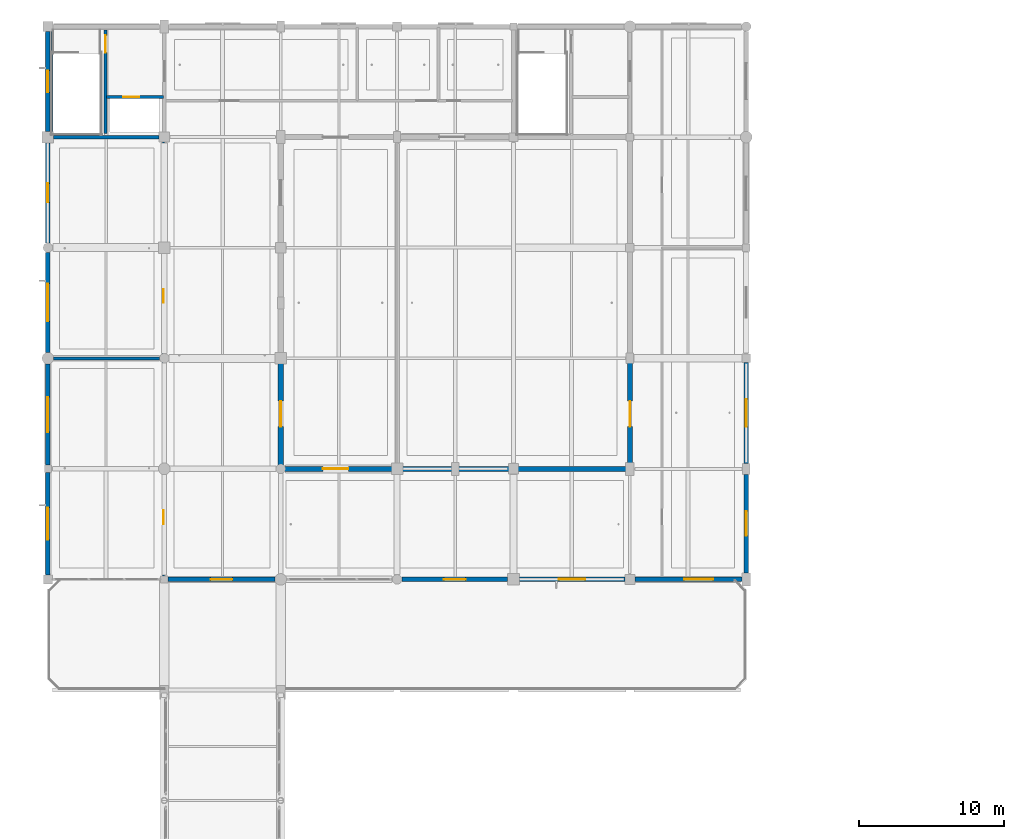
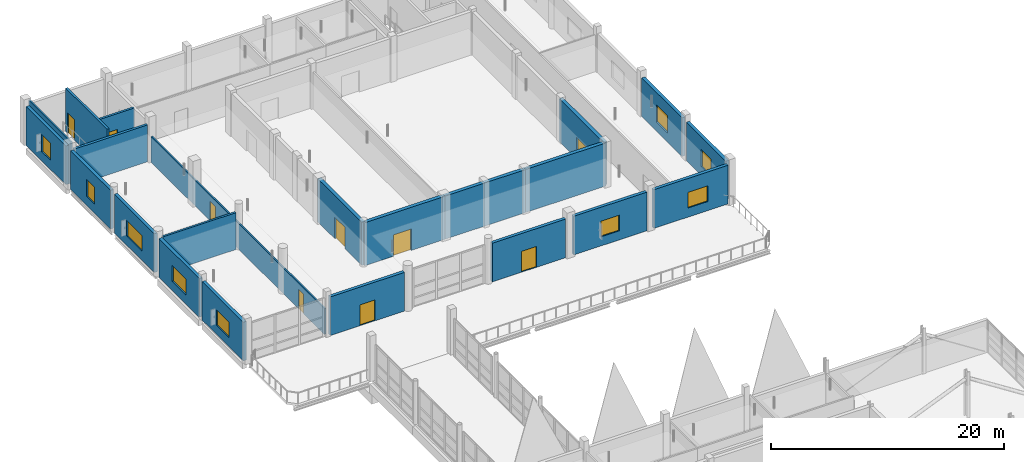
# One storey, part 92 of 141: 22 walls, 9 doors, 9 windows, 18 openings.
"""IFC4 building model written with IfcOpenShell, lengths in metres."""

import ifcopenshell
import ifcopenshell.guid

model = None  # the IFC model being written
_history = None  # IfcOwnerHistory: only IFC2X3 demands one
_inside = {}  # id of a spatial element -> (the spatial element, [elements in it])
_under = {}  # id of a project, library or spatial element -> (it, [spatial elements below it])
_declared = {}  # id of a project -> (the project, [libraries it declares])
_typed = {}  # id of a type object -> (the type object, [elements of that type])
_made_of = {}  # id of a material, layer set ... -> (it, [elements and type objects made of it])


def new_model(schema):
    """Start an empty IFC model of exactly this schema.

    Asked for "IFC4X3", IfcOpenShell would pick the latest addendum, in which some entities
    have other attributes; the version numbers below select the first issue.
    IFC2X3 requires an IfcOwnerHistory on every rooted entity: one is made here for all.
    """
    global model, _history
    if schema == "IFC4X3":
        model = ifcopenshell.file(schema_version=(4, 3, 0, 0))
    else:
        model = ifcopenshell.file(schema=schema)
    _inside.clear()
    _under.clear()
    _declared.clear()
    _typed.clear()
    _made_of.clear()
    _history = None
    if model.schema == "IFC2X3":
        org = make("IfcOrganization", Name="unknown")
        user = make(
            "IfcPersonAndOrganization",
            ThePerson=make("IfcPerson", FamilyName="unknown"),
            TheOrganization=org,
        )
        app = make(
            "IfcApplication",
            ApplicationDeveloper=org,
            Version="unknown",
            ApplicationFullName="unknown",
            ApplicationIdentifier="unknown",
        )
        _history = make(
            "IfcOwnerHistory",
            OwningUser=user,
            OwningApplication=app,
            ChangeAction="ADDED",
            CreationDate=0,
        )
    return model


def make(cls, **values):
    """One entity of the class cls with the attributes given. An attribute that is None is left unset."""
    return model.create_entity(
        cls, **{name: value for name, value in values.items() if value is not None}
    )


def rooted(cls, **values):
    """An entity with a GlobalId (a new one), such as an element, a storey or a relation."""
    return make(cls, GlobalId=ifcopenshell.guid.new(), OwnerHistory=_history, **values)


def si_unit(unit_type, name, prefix=None):
    """IfcSIUnit, for example si_unit("LENGTHUNIT", "METRE", prefix="MILLI")."""
    return make("IfcSIUnit", UnitType=unit_type, Prefix=prefix, Name=name)


def assignment(units):
    """IfcUnitAssignment: the units of a project."""
    return None if units is None else make("IfcUnitAssignment", Units=units)


def point(xyz):
    """IfcCartesianPoint."""
    return None if xyz is None else make("IfcCartesianPoint", Coordinates=xyz)


def direction(xyz):
    """IfcDirection."""
    return None if xyz is None else make("IfcDirection", DirectionRatios=xyz)


def frame(location, z_axis=None, x_axis=None):
    """IfcAxis2Placement3D, a coordinate frame: its origin and axes. An axis left out is left unset."""
    return make(
        "IfcAxis2Placement3D",
        Location=point(location),
        Axis=direction(z_axis),
        RefDirection=direction(x_axis),
    )


def frame_2d(location, x_axis=None):
    """IfcAxis2Placement2D, a coordinate frame in the plane: its origin and x axis."""
    return make(
        "IfcAxis2Placement2D", Location=point(location), RefDirection=direction(x_axis)
    )


def origin():
    """The frame at (0, 0, 0) with its axes left unset."""
    return frame((0.0, 0.0, 0.0))


def place(relative_to, where):
    """IfcLocalPlacement: puts the frame where relative to a parent placement (None: the world)."""
    return make(
        "IfcLocalPlacement", PlacementRelTo=relative_to, RelativePlacement=where
    )


def context(
    kind, dimensions, precision=None, world=None, true_north=None, identifier=None
):
    """IfcGeometricRepresentationContext, for example the 3D "Model" context."""
    return make(
        "IfcGeometricRepresentationContext",
        ContextIdentifier=identifier,
        ContextType=kind,
        CoordinateSpaceDimension=dimensions,
        Precision=precision,
        WorldCoordinateSystem=world,
        TrueNorth=true_north,
    )


def subcontext(parent, identifier, kind, view, scale=None):
    """IfcGeometricRepresentationSubContext, for example "Body" below "Model"."""
    return make(
        "IfcGeometricRepresentationSubContext",
        ContextIdentifier=identifier,
        ContextType=kind,
        ParentContext=parent,
        TargetScale=scale,
        TargetView=view,
    )


def project(units=None, contexts=None):
    """IfcProject with its units and contexts."""
    return rooted(
        "IfcProject",
        Name="project",
        RepresentationContexts=contexts,
        UnitsInContext=assignment(units),
    )


def spatial(cls, under=None, at=None, **own):
    """A site, building, storey or space (cls), placed at a placement, below another one or the project."""
    s = rooted(cls, ObjectPlacement=at, **own)
    if under is not None:
        _under.setdefault(under.id(), (under, []))[1].append(s)
    return s


def profile(cls, at=None, kind="AREA", **sizes):
    """A parametric profile (cls). Its sizes go by their IFC names, for example OverallWidth=200.0."""
    return make(cls, ProfileType=kind, Position=at, **sizes)


def rectangle(**sizes):
    """IfcRectangleProfileDef."""
    return profile("IfcRectangleProfileDef", **sizes)


def extrude(swept, where, along, depth):
    """IfcExtrudedAreaSolid: the profile swept, set in the frame where, extruded along a direction by depth."""
    return make(
        "IfcExtrudedAreaSolid",
        SweptArea=swept,
        Position=where,
        ExtrudedDirection=direction(along),
        Depth=depth,
    )


def shape(context_of_items, identifier, shape_type, items):
    """IfcShapeRepresentation: the items that make up one representation, for example the "Body"."""
    return make(
        "IfcShapeRepresentation",
        ContextOfItems=context_of_items,
        RepresentationIdentifier=identifier,
        RepresentationType=shape_type,
        Items=items,
    )


def material(Name=None, Category=None):
    """IfcMaterial."""
    return make("IfcMaterial", Name=Name, Category=Category)


def layer(
    of_material, thickness, ventilated=None, Name=None, Category=None, Priority=None
):
    """IfcMaterialLayer: one layer of a wall or slab, of a material (None: an air gap)."""
    return make(
        "IfcMaterialLayer",
        Material=of_material,
        LayerThickness=thickness,
        IsVentilated=ventilated,
        Name=Name,
        Category=Category,
        Priority=Priority,
    )


def layer_set(layers, Name=None):
    """IfcMaterialLayerSet."""
    return make("IfcMaterialLayerSet", MaterialLayers=layers, LayerSetName=Name)


def made_of(thing, what):
    """Note that an element or type object is made of a material, layer set ...; save() writes the relation."""
    if what is not None:
        _made_of.setdefault(what.id(), (what, []))[1].append(thing)
    return thing


def type_object(cls, material=None, **own):
    """A type object (cls), such as IfcWallType, which elements share."""
    return made_of(rooted(cls, **own), material)


def element(
    cls,
    number,
    at=None,
    inside=None,
    cuts=None,
    type_object=None,
    material=None,
    context=None,
    identifier="Body",
    shape_type=None,
    held_by="IfcProductDefinitionShape",
    body=None,
    shapes=None,
    **own,
):
    """One element of the class cls, such as IfcWall. Its Tag is "e" and its number.

    at: its placement. inside: the storey or other place that contains it. cuts: it is an
    opening in that element (IfcRelVoidsElement). A single representation is given by context,
    identifier, shape_type and body (its items); several are given by shapes. held_by: the class
    of the entity that holds the representations. save() writes the other relations.
    """
    e = rooted(cls, Tag="e%d" % number, ObjectPlacement=at, **own)
    if body is not None:
        shapes = [shape(context, identifier, shape_type, body)]
    if shapes is not None:
        e.Representation = make(held_by, Representations=shapes)
    if inside is not None:
        _inside.setdefault(inside.id(), (inside, []))[1].append(e)
    if cuts is not None:
        rooted(
            "IfcRelVoidsElement", RelatingBuildingElement=cuts, RelatedOpeningElement=e
        )
    if type_object is not None:
        _typed.setdefault(type_object.id(), (type_object, []))[1].append(e)
    return made_of(e, material)


def fill(opening, filler):
    """IfcRelFillsElement: the door or window that sits in an opening."""
    return rooted(
        "IfcRelFillsElement",
        RelatingOpeningElement=opening,
        RelatedBuildingElement=filler,
    )


def aggregate(whole, parts):
    """IfcRelAggregates: a whole, such as a stair, and the parts it consists of."""
    return rooted("IfcRelAggregates", RelatingObject=whole, RelatedObjects=parts)


def save(model, path):
    """Write the relations noted so far, then the file.

    IfcRelAggregates (storeys below a building ...), IfcRelContainedInSpatialStructure (elements
    in a storey), IfcRelDefinesByType, IfcRelAssociatesMaterial and IfcRelDeclares: one each for
    every whole, place, type object, material and project.
    """
    for whole, parts in _under.values():
        aggregate(whole, parts)
    for where, things in _inside.values():
        rooted(
            "IfcRelContainedInSpatialStructure",
            RelatedElements=things,
            RelatingStructure=where,
        )
    for kind, things in _typed.values():
        rooted("IfcRelDefinesByType", RelatedObjects=things, RelatingType=kind)
    for what, things in _made_of.values():
        rooted("IfcRelAssociatesMaterial", RelatedObjects=things, RelatingMaterial=what)
    for by, libraries in _declared.values():
        rooted("IfcRelDeclares", RelatingContext=by, RelatedDefinitions=libraries)
    model.write(path)


model = new_model("IFC4")

# Units and contexts
model_context = context("Model", 3, precision=1e-05, world=origin(), true_north=direction((0.0, 1.0)))
body_context = subcontext(model_context, "Body", "Model", "MODEL_VIEW")
ifc_project = project(units=[si_unit("LENGTHUNIT", "METRE"), si_unit("AREAUNIT", "SQUARE_METRE"), si_unit("VOLUMEUNIT", "CUBIC_METRE"), si_unit("PLANEANGLEUNIT", "RADIAN"), si_unit("MASSUNIT", "GRAM", prefix="KILO")], contexts=[model_context])

# Site, building, storey
site_placement = place(None, origin())
site = spatial("IfcSite", under=ifc_project, at=site_placement, CompositionType="ELEMENT")
building_placement = place(site_placement, origin())
building = spatial("IfcBuilding", under=site, at=building_placement, Name="Khelvaren Railside Concert Hall", CompositionType="ELEMENT")
storey_placement = place(building_placement, frame((0.0, 0.0, 10.199951171875)))
storey = spatial("IfcBuildingStorey", under=building, at=storey_placement, Name="L02", CompositionType="ELEMENT", Elevation=10.199951171875)

# Walls
ifc_material_1 = material(Name="Concrete C40/50", Category="concrete")
ifc_layer_1 = layer(ifc_material_1, 0.139892578125)
ifc_layer_set_1 = layer_set([ifc_layer_1], Name="Concrete C40/50")
wall_type_1 = type_object("IfcWallType", Name="CW17", PredefinedType="SOLIDWALL", material=ifc_layer_set_1)
wall_1_placement = place(storey_placement, frame((0.27490234375, 106.550048828125, 0.0), z_axis=(0.0, 0.0, 1.0), x_axis=(0.0, 1.0, 0.0)))
element("IfcWall", 1, at=wall_1_placement, inside=storey, type_object=wall_type_1, Name="Core Shaft Structural Liner Wall ST-07-L02", PredefinedType="SOLIDWALL", context=body_context, shape_type="SweptSolid", body=[
    extrude(rectangle(XDim=7.300048828125, YDim=0.139892578125, at=frame_2d((3.64990234375, 0.0))), origin(), (0.0, 0.0, 1.0), 4.52001953125),
])
ifc_layer_2 = layer(ifc_material_1, 0.25)
ifc_layer_set_2 = layer_set([ifc_layer_2], Name="Concrete C40/50")
wall_type_2 = type_object("IfcWallType", Name="CW82", PredefinedType="SOLIDWALL", material=ifc_layer_set_2)
wall_2_placement = place(storey_placement, frame((0.39990234375, 106.39990234375, 0.0), z_axis=(0.0, 0.0, 1.0), x_axis=(1.0, 0.0, 0.0)))
element("IfcWall", 2, at=wall_2_placement, inside=storey, type_object=wall_type_2, Name="Core Enclosure Wall CWALL-ST-07-L02-S", PredefinedType="SOLIDWALL", context=body_context, shape_type="SweptSolid", body=[
    extrude(rectangle(XDim=7.25, YDim=0.25, at=frame_2d((3.625, 0.0))), origin(), (0.0, 0.0, 1.0), 3.864990234375),
])

# Wall, opening, door
ifc_layer_3 = layer(ifc_material_1, 0.219970703125)
ifc_layer_set_3 = layer_set([ifc_layer_3], Name="Concrete C40/50")
wall_type_3 = type_object("IfcWallType", Name="CW97", PredefinedType="SOLIDWALL", material=ifc_layer_set_3)
wall_3_placement = place(storey_placement, frame((3.949951171875, 106.64990234375, 0.0), z_axis=(0.0, 0.0, 1.0), x_axis=(0.0, 1.0, 0.0)))
wall_3 = element("IfcWall", 3, at=wall_3_placement, inside=storey, type_object=wall_type_3, Name="Core Enclosure Wall CWALL-ST-07-L02-MID", PredefinedType="SOLIDWALL", context=body_context, shape_type="SweptSolid", body=[
    extrude(rectangle(XDim=7.10009765625, YDim=0.219970703125, at=frame_2d((3.550048828125, 0.0))), origin(), (0.0, 0.0, 1.0), 4.52001953125),
])
opening_1_placement = place(wall_3_placement, frame((5.550048828125, 0.0, 0.0)))
opening_1 = element("IfcOpeningElement", 4, at=opening_1_placement, cuts=wall_3, Name="Opening FDR17", PredefinedType="OPENING", context=body_context, shape_type="SweptSolid", body=[
    extrude(rectangle(XDim=1.199951171875, YDim=2.14990234375, at=frame_2d((0.60009765625, 1.074951171875))), frame((0.0, 0.119873046875, 0.0), z_axis=(0.0, -1.0, 0.0), x_axis=(1.0, 0.0, 0.0)), (0.0, 0.0, 1.0), 0.239990234375),
])
ifc_material_2 = material(Name="Acoustic fire-rated timber-core steel frame door", Category="steel")
door_type_1 = type_object("IfcDoorType", Name="FDR17", OperationType="NOTDEFINED", PredefinedType="DOOR", material=ifc_material_2)
door_1_placement = place(opening_1_placement, origin())
door_1 = element("IfcDoor", 5, at=door_1_placement, inside=storey, type_object=door_type_1, Name="Interior Door DR-ST-07-L02-ST", OperationType="SINGLE_SWING_RIGHT", OverallHeight=2.14990234375, OverallWidth=1.199951171875, PredefinedType="DOOR", context=body_context, shape_type="SweptSolid", body=[
    extrude(rectangle(XDim=1.199951171875, YDim=2.14990234375, at=frame_2d((0.60009765625, 1.074951171875))), frame((0.0, 0.02490234375, 0.0), z_axis=(0.0, -1.0, 0.0), x_axis=(1.0, 0.0, 0.0)), (0.0, 0.0, 1.0), 0.050048828125),
])
fill(opening_1, door_1)

wall_4_placement = place(storey_placement, frame((4.02001953125, 109.14990234375, 0.0), z_axis=(0.0, 0.0, 1.0), x_axis=(1.0, 0.0, 0.0)))
wall_4 = element("IfcWall", 6, at=wall_4_placement, inside=storey, type_object=wall_type_3, Name="Core Enclosure Wall CWALL-ST-07-L02-SHF", PredefinedType="SOLIDWALL", context=body_context, shape_type="SweptSolid", body=[
    extrude(rectangle(XDim=3.929931640625, YDim=0.219970703125, at=frame_2d((1.96484375, 0.0))), origin(), (0.0, 0.0, 1.0), 3.864990234375),
])
opening_2_placement = place(wall_4_placement, frame((1.14990234375, 0.0, 0.0)))
opening_2 = element("IfcOpeningElement", 7, at=opening_2_placement, cuts=wall_4, Name="Opening LD-PL-05", PredefinedType="OPENING", context=body_context, shape_type="SweptSolid", body=[
    extrude(rectangle(XDim=1.10009765625, YDim=2.199951171875, at=frame_2d((0.550048828125, 1.10009765625))), frame((0.0, 0.119873046875, 0.0), z_axis=(0.0, -1.0, 0.0), x_axis=(1.0, 0.0, 0.0)), (0.0, 0.0, 1.0), 0.239990234375),
])
ifc_material_3 = material(Name="Fire-rated brushed stainless steel landing door", Category="steel")
door_type_2 = type_object("IfcDoorType", Name="LD96", OperationType="DOUBLE_DOOR_SLIDING", PredefinedType="DOOR", material=ifc_material_3)
door_2_placement = place(opening_2_placement, origin())
door_2 = element("IfcDoor", 8, at=door_2_placement, inside=storey, type_object=door_type_2, Name="Lift Landing Door LD-PL-05-L02", OperationType="DOUBLE_DOOR_SLIDING", OverallHeight=2.199951171875, OverallWidth=1.10009765625, PredefinedType="DOOR", context=body_context, shape_type="SweptSolid", body=[
    extrude(rectangle(XDim=1.10009765625, YDim=2.199951171875, at=frame_2d((0.550048828125, 1.10009765625))), frame((0.0, 0.02490234375, 0.0), z_axis=(0.0, -1.0, 0.0), x_axis=(1.0, 0.0, 0.0)), (0.0, 0.0, 1.0), 0.050048828125),
])
fill(opening_2, door_2)

ifc_material_4 = material(Name="Board-marked architectural concrete C40/50", Category="concrete")
ifc_layer_4 = layer(ifc_material_4, 0.31005859375)
ifc_layer_set_4 = layer_set([ifc_layer_4], Name="Board-marked architectural concrete C40/50")
wall_type_4 = type_object("IfcWallType", Name="EW33", PredefinedType="SOLIDWALL", material=ifc_layer_set_4)
wall_5_placement = place(storey_placement, frame((15.60009765625, 76.0, 0.0), z_axis=(0.0, 0.0, 1.0), x_axis=(-1.0, 0.0, 0.0)))
wall_5 = element("IfcWall", 9, at=wall_5_placement, inside=storey, type_object=wall_type_4, Name="V4 L02 Exterior Concrete Wall S-8", PredefinedType="SOLIDWALL", context=body_context, shape_type="SweptSolid", body=[
    extrude(rectangle(XDim=7.35009765625, YDim=0.31005859375, at=frame_2d((3.675048828125, 0.0))), origin(), (0.0, 0.0, 1.0), 4.06005859375),
])
opening_3_placement = place(wall_5_placement, frame((2.925048828125, 0.0, 0.0)))
opening_3 = element("IfcOpeningElement", 10, at=opening_3_placement, cuts=wall_5, Name="Opening TDR84", PredefinedType="OPENING", context=body_context, shape_type="SweptSolid", body=[
    extrude(rectangle(XDim=1.5, YDim=2.199951171875, at=frame_2d((0.75, 1.10009765625))), frame((0.0, 0.1650390625, 0.0), z_axis=(0.0, -1.0, 0.0), x_axis=(1.0, 0.0, 0.0)), (0.0, 0.0, 1.0), 0.330078125),
])
ifc_material_5 = material(Name="Glazed thermally broken terrace door", Category="aluminium")
door_type_3 = type_object("IfcDoorType", Name="TDR84", OperationType="NOTDEFINED", PredefinedType="DOOR", material=ifc_material_5)
door_3_placement = place(opening_3_placement, origin())
door_3 = element("IfcDoor", 11, at=door_3_placement, inside=storey, type_object=door_type_3, Name="V4 L02 Outdoor Terrace Access Door", OperationType="SINGLE_SWING_LEFT", OverallHeight=2.199951171875, OverallWidth=1.5, PredefinedType="DOOR", context=body_context, shape_type="SweptSolid", body=[
    extrude(rectangle(XDim=1.5, YDim=2.199951171875, at=frame_2d((0.75, 1.10009765625))), frame((0.0, 0.02490234375, 0.0), z_axis=(0.0, -1.0, 0.0), x_axis=(1.0, 0.0, 0.0)), (0.0, 0.0, 1.0), 0.050048828125),
])
fill(opening_3, door_3)

wall_6_placement = place(storey_placement, frame((31.60009765625, 76.0, 0.0), z_axis=(0.0, 0.0, 1.0), x_axis=(-1.0, 0.0, 0.0)))
wall_6 = element("IfcWall", 12, at=wall_6_placement, inside=storey, type_object=wall_type_4, Name="V4 L02 Exterior Concrete Wall S-24", PredefinedType="SOLIDWALL", context=body_context, shape_type="SweptSolid", body=[
    extrude(rectangle(XDim=7.275146484375, YDim=0.31005859375, at=frame_2d((3.6376953125, 0.0))), origin(), (0.0, 0.0, 1.0), 4.06005859375),
])
opening_4_placement = place(wall_6_placement, frame((2.887451171875, 0.0, 0.0)))
opening_4 = element("IfcOpeningElement", 13, at=opening_4_placement, cuts=wall_6, Name="Opening TDR84", PredefinedType="OPENING", context=body_context, shape_type="SweptSolid", body=[
    extrude(rectangle(XDim=1.5, YDim=2.199951171875, at=frame_2d((0.75, 1.10009765625))), frame((0.0, 0.1650390625, 0.0), z_axis=(0.0, -1.0, 0.0), x_axis=(1.0, 0.0, 0.0)), (0.0, 0.0, 1.0), 0.330078125),
])
door_4_placement = place(opening_4_placement, origin())
door_4 = element("IfcDoor", 14, at=door_4_placement, inside=storey, type_object=door_type_3, Name="V4 L02 Outdoor Terrace Access Door", OperationType="SINGLE_SWING_RIGHT", OverallHeight=2.199951171875, OverallWidth=1.5, PredefinedType="DOOR", context=body_context, shape_type="SweptSolid", body=[
    extrude(rectangle(XDim=1.5, YDim=2.199951171875, at=frame_2d((0.75, 1.10009765625))), frame((0.0, 0.02490234375, 0.0), z_axis=(0.0, -1.0, 0.0), x_axis=(1.0, 0.0, 0.0)), (0.0, 0.0, 1.0), 0.050048828125),
])
fill(opening_4, door_4)

# Wall, opening, window
wall_7_placement = place(storey_placement, frame((39.64990234375, 76.0, 0.0), z_axis=(0.0, 0.0, 1.0), x_axis=(-1.0, 0.0, 0.0)))
wall_7 = element("IfcWall", 15, at=wall_7_placement, inside=storey, type_object=wall_type_4, Name="V4 L02 Exterior Concrete Wall S-32", PredefinedType="SOLIDWALL", context=body_context, shape_type="SweptSolid", body=[
    extrude(rectangle(XDim=7.25, YDim=0.31005859375, at=frame_2d((3.625, 0.0))), origin(), (0.0, 0.0, 1.0), 4.06005859375),
])
opening_5_placement = place(wall_7_placement, frame((2.72509765625, 0.0, 0.949951171875)))
opening_5 = element("IfcOpeningElement", 16, at=opening_5_placement, cuts=wall_7, Name="Opening WN96", PredefinedType="OPENING", context=body_context, shape_type="SweptSolid", body=[
    extrude(rectangle(XDim=1.800048828125, YDim=1.64990234375, at=frame_2d((0.89990234375, 0.824951171875))), frame((0.0, 0.1650390625, 0.0), z_axis=(0.0, -1.0, 0.0), x_axis=(1.0, 0.0, 0.0)), (0.0, 0.0, 1.0), 0.330078125),
])
ifc_material_6 = material(Name="Triple-glazed acoustic aluminium window", Category="aluminium")
window_type_1 = type_object("IfcWindowType", Name="WN96", PartitioningType="DOUBLE_PANEL_VERTICAL", PredefinedType="WINDOW", material=ifc_material_6)
window_1_placement = place(opening_5_placement, origin())
window_1 = element("IfcWindow", 17, at=window_1_placement, inside=storey, type_object=window_type_1, Name="Acoustic Facade Window EW-V4-L02-S-32", OverallHeight=1.64990234375, OverallWidth=1.800048828125, PartitioningType="DOUBLE_PANEL_VERTICAL", PredefinedType="WINDOW", context=body_context, shape_type="SweptSolid", body=[
    extrude(rectangle(XDim=1.800048828125, YDim=1.64990234375, at=frame_2d((0.89990234375, 0.824951171875))), frame((0.0, 0.030029296875, 0.0), z_axis=(0.0, -1.0, 0.0), x_axis=(1.0, 0.0, 0.0)), (0.0, 0.0, 1.0), 0.06005859375),
])
fill(opening_5, window_1)

wall_8_placement = place(storey_placement, frame((47.699951171875, 76.0, 0.0), z_axis=(0.0, 0.0, 1.0), x_axis=(-1.0, 0.0, 0.0)))
wall_8 = element("IfcWall", 18, at=wall_8_placement, inside=storey, type_object=wall_type_4, Name="V4 L02 Exterior Concrete Wall S-40", PredefinedType="SOLIDWALL", context=body_context, shape_type="SweptSolid", body=[
    extrude(rectangle(XDim=7.349853515625, YDim=0.31005859375, at=frame_2d((3.6748046875, 0.0))), origin(), (0.0, 0.0, 1.0), 4.06005859375),
])
opening_6_placement = place(wall_8_placement, frame((1.97509765625, 0.0, 0.949951171875)))
opening_6 = element("IfcOpeningElement", 19, at=opening_6_placement, cuts=wall_8, Name="Opening WN51", PredefinedType="OPENING", context=body_context, shape_type="SweptSolid", body=[
    extrude(rectangle(XDim=2.0, YDim=1.64990234375, at=frame_2d((1.0, 0.824951171875))), frame((0.0, 0.1650390625, 0.0), z_axis=(0.0, -1.0, 0.0), x_axis=(1.0, 0.0, 0.0)), (0.0, 0.0, 1.0), 0.330078125),
])
window_type_2 = type_object("IfcWindowType", Name="WN51", PartitioningType="DOUBLE_PANEL_VERTICAL", PredefinedType="WINDOW", material=ifc_material_6)
window_2_placement = place(opening_6_placement, origin())
window_2 = element("IfcWindow", 20, at=window_2_placement, inside=storey, type_object=window_type_2, Name="Acoustic Facade Window EW-V4-L02-S-40", OverallHeight=1.64990234375, OverallWidth=2.0, PartitioningType="DOUBLE_PANEL_VERTICAL", PredefinedType="WINDOW", context=body_context, shape_type="SweptSolid", body=[
    extrude(rectangle(XDim=2.0, YDim=1.64990234375, at=frame_2d((1.0, 0.824951171875))), frame((0.0, 0.030029296875, 0.0), z_axis=(0.0, -1.0, 0.0), x_axis=(1.0, 0.0, 0.0)), (0.0, 0.0, 1.0), 0.06005859375),
])
fill(opening_6, window_2)

wall_9_placement = place(storey_placement, frame((0.0, 76.300048828125, 0.0), z_axis=(0.0, 0.0, 1.0), x_axis=(0.0, 1.0, 0.0)))
wall_9 = element("IfcWall", 21, at=wall_9_placement, inside=storey, type_object=wall_type_4, Name="V4 L02 Exterior Concrete Wall W-76", PredefinedType="SOLIDWALL", context=body_context, shape_type="SweptSolid", body=[
    extrude(rectangle(XDim=7.050048828125, YDim=0.31005859375, at=frame_2d((3.52490234375, 0.0))), origin(), (0.0, 0.0, 1.0), 4.06005859375),
])
opening_7_placement = place(wall_9_placement, frame((2.425048828125, 0.0, 0.949951171875)))
opening_7 = element("IfcOpeningElement", 22, at=opening_7_placement, cuts=wall_9, Name="Opening WN37", PredefinedType="OPENING", context=body_context, shape_type="SweptSolid", body=[
    extrude(rectangle(XDim=2.199951171875, YDim=1.64990234375, at=frame_2d((1.10009765625, 0.824951171875))), frame((0.0, 0.1650390625, 0.0), z_axis=(0.0, -1.0, 0.0), x_axis=(1.0, 0.0, 0.0)), (0.0, 0.0, 1.0), 0.330078125),
])
window_type_3 = type_object("IfcWindowType", Name="WN37", PartitioningType="DOUBLE_PANEL_VERTICAL", PredefinedType="WINDOW", material=ifc_material_6)
window_3_placement = place(opening_7_placement, origin())
window_3 = element("IfcWindow", 23, at=window_3_placement, inside=storey, type_object=window_type_3, Name="Acoustic Facade Window EW-V4-L02-W-76", OverallHeight=1.64990234375, OverallWidth=2.199951171875, PartitioningType="DOUBLE_PANEL_VERTICAL", PredefinedType="WINDOW", context=body_context, shape_type="SweptSolid", body=[
    extrude(rectangle(XDim=2.199951171875, YDim=1.64990234375, at=frame_2d((1.10009765625, 0.824951171875))), frame((0.0, 0.030029296875, 0.0), z_axis=(0.0, -1.0, 0.0), x_axis=(1.0, 0.0, 0.0)), (0.0, 0.0, 1.0), 0.06005859375),
])
fill(opening_7, window_3)

wall_10_placement = place(storey_placement, frame((0.0, 83.85009765625, 0.0), z_axis=(0.0, 0.0, 1.0), x_axis=(0.0, 1.0, 0.0)))
wall_10 = element("IfcWall", 24, at=wall_10_placement, inside=storey, type_object=wall_type_4, Name="V4 L02 Exterior Concrete Wall W-84", PredefinedType="SOLIDWALL", context=body_context, shape_type="SweptSolid", body=[
    extrude(rectangle(XDim=6.949951171875, YDim=0.31005859375, at=frame_2d((3.47509765625, 0.0))), origin(), (0.0, 0.0, 1.0), 4.06005859375),
])
opening_8_placement = place(wall_10_placement, frame((2.27490234375, 0.0, 0.949951171875)))
opening_8 = element("IfcOpeningElement", 25, at=opening_8_placement, cuts=wall_10, Name="Opening WN15", PredefinedType="OPENING", context=body_context, shape_type="SweptSolid", body=[
    extrude(rectangle(XDim=2.39990234375, YDim=1.64990234375, at=frame_2d((1.199951171875, 0.824951171875))), frame((0.0, 0.1650390625, 0.0), z_axis=(0.0, -1.0, 0.0), x_axis=(1.0, 0.0, 0.0)), (0.0, 0.0, 1.0), 0.330078125),
])
window_type_4 = type_object("IfcWindowType", Name="WN15", PartitioningType="DOUBLE_PANEL_VERTICAL", PredefinedType="WINDOW", material=ifc_material_6)
window_4_placement = place(opening_8_placement, origin())
window_4 = element("IfcWindow", 26, at=window_4_placement, inside=storey, type_object=window_type_4, Name="Acoustic Facade Window EW-V4-L02-W-84", OverallHeight=1.64990234375, OverallWidth=2.39990234375, PartitioningType="DOUBLE_PANEL_VERTICAL", PredefinedType="WINDOW", context=body_context, shape_type="SweptSolid", body=[
    extrude(rectangle(XDim=2.39990234375, YDim=1.64990234375, at=frame_2d((1.199951171875, 0.824951171875))), frame((0.0, 0.030029296875, 0.0), z_axis=(0.0, -1.0, 0.0), x_axis=(1.0, 0.0, 0.0)), (0.0, 0.0, 1.0), 0.06005859375),
])
fill(opening_8, window_4)

wall_11_placement = place(storey_placement, frame((0.0, 91.60009765625, 0.0), z_axis=(0.0, 0.0, 1.0), x_axis=(0.0, 1.0, 0.0)))
wall_11 = element("IfcWall", 27, at=wall_11_placement, inside=storey, type_object=wall_type_4, Name="V4 L02 Exterior Concrete Wall W-91", PredefinedType="SOLIDWALL", context=body_context, shape_type="SweptSolid", body=[
    extrude(rectangle(XDim=6.875, YDim=0.31005859375, at=frame_2d((3.4375, 0.0))), origin(), (0.0, 0.0, 1.0), 4.06005859375),
])
opening_9_placement = place(wall_11_placement, frame((2.137451171875, 0.0, 0.949951171875)))
opening_9 = element("IfcOpeningElement", 28, at=opening_9_placement, cuts=wall_11, Name="Opening WN31", PredefinedType="OPENING", context=body_context, shape_type="SweptSolid", body=[
    extrude(rectangle(XDim=2.60009765625, YDim=1.64990234375, at=frame_2d((1.300048828125, 0.824951171875))), frame((0.0, 0.1650390625, 0.0), z_axis=(0.0, -1.0, 0.0), x_axis=(1.0, 0.0, 0.0)), (0.0, 0.0, 1.0), 0.330078125),
])
window_type_5 = type_object("IfcWindowType", Name="WN31", PartitioningType="DOUBLE_PANEL_VERTICAL", PredefinedType="WINDOW", material=ifc_material_6)
window_5_placement = place(opening_9_placement, origin())
window_5 = element("IfcWindow", 29, at=window_5_placement, inside=storey, type_object=window_type_5, Name="Acoustic Facade Window EW-V4-L02-W-91", OverallHeight=1.64990234375, OverallWidth=2.60009765625, PartitioningType="DOUBLE_PANEL_VERTICAL", PredefinedType="WINDOW", context=body_context, shape_type="SweptSolid", body=[
    extrude(rectangle(XDim=2.60009765625, YDim=1.64990234375, at=frame_2d((1.300048828125, 0.824951171875))), frame((0.0, 0.030029296875, 0.0), z_axis=(0.0, -1.0, 0.0), x_axis=(1.0, 0.0, 0.0)), (0.0, 0.0, 1.0), 0.06005859375),
])
fill(opening_9, window_5)

wall_12_placement = place(storey_placement, frame((0.0, 99.125, 0.0), z_axis=(0.0, 0.0, 1.0), x_axis=(0.0, 1.0, 0.0)))
wall_12 = element("IfcWall", 30, at=wall_12_placement, inside=storey, type_object=wall_type_4, Name="V4 L02 Exterior Concrete Wall W-99", PredefinedType="SOLIDWALL", context=body_context, shape_type="SweptSolid", body=[
    extrude(rectangle(XDim=6.875, YDim=0.31005859375, at=frame_2d((3.4375, 0.0))), origin(), (0.0, 0.0, 1.0), 4.06005859375),
])
opening_10_placement = place(wall_12_placement, frame((2.78759765625, 0.0, 0.949951171875)))
opening_10 = element("IfcOpeningElement", 31, at=opening_10_placement, cuts=wall_12, Name="Opening WN95", PredefinedType="OPENING", context=body_context, shape_type="SweptSolid", body=[
    extrude(rectangle(XDim=1.300048828125, YDim=1.800048828125, at=frame_2d((0.64990234375, 0.89990234375))), frame((0.0, 0.1650390625, 0.0), z_axis=(0.0, -1.0, 0.0), x_axis=(1.0, 0.0, 0.0)), (0.0, 0.0, 1.0), 0.330078125),
])
window_type_6 = type_object("IfcWindowType", Name="WN95", PartitioningType="SINGLE_PANEL", PredefinedType="WINDOW", material=ifc_material_6)
window_6_placement = place(opening_10_placement, origin())
window_6 = element("IfcWindow", 32, at=window_6_placement, inside=storey, type_object=window_type_6, Name="Acoustic Facade Window EW-V4-L02-W-99", OverallHeight=1.800048828125, OverallWidth=1.300048828125, PartitioningType="SINGLE_PANEL", PredefinedType="WINDOW", context=body_context, shape_type="SweptSolid", body=[
    extrude(rectangle(XDim=1.300048828125, YDim=1.800048828125, at=frame_2d((0.64990234375, 0.89990234375))), frame((0.0, 0.030029296875, 0.0), z_axis=(0.0, -1.0, 0.0), x_axis=(1.0, 0.0, 0.0)), (0.0, 0.0, 1.0), 0.06005859375),
])
fill(opening_10, window_6)

wall_13_placement = place(storey_placement, frame((0.0, 106.800048828125, 0.0), z_axis=(0.0, 0.0, 1.0), x_axis=(0.0, 1.0, 0.0)))
wall_13 = element("IfcWall", 33, at=wall_13_placement, inside=storey, type_object=wall_type_4, Name="V4 L02 Exterior Concrete Wall W-106", PredefinedType="SOLIDWALL", context=body_context, shape_type="SweptSolid", body=[
    extrude(rectangle(XDim=6.849853515625, YDim=0.31005859375, at=frame_2d((3.4248046875, 0.0))), origin(), (0.0, 0.0, 1.0), 4.06005859375),
])
opening_11_placement = place(wall_13_placement, frame((2.675048828125, 0.0, 0.949951171875)))
opening_11 = element("IfcOpeningElement", 34, at=opening_11_placement, cuts=wall_13, Name="Opening WN64", PredefinedType="OPENING", context=body_context, shape_type="SweptSolid", body=[
    extrude(rectangle(XDim=1.5, YDim=1.800048828125, at=frame_2d((0.75, 0.89990234375))), frame((0.0, 0.1650390625, 0.0), z_axis=(0.0, -1.0, 0.0), x_axis=(1.0, 0.0, 0.0)), (0.0, 0.0, 1.0), 0.330078125),
])
window_type_7 = type_object("IfcWindowType", Name="WN64", PartitioningType="SINGLE_PANEL", PredefinedType="WINDOW", material=ifc_material_6)
window_7_placement = place(opening_11_placement, origin())
window_7 = element("IfcWindow", 35, at=window_7_placement, inside=storey, type_object=window_type_7, Name="Acoustic Facade Window EW-V4-L02-W-106", OverallHeight=1.800048828125, OverallWidth=1.5, PartitioningType="SINGLE_PANEL", PredefinedType="WINDOW", context=body_context, shape_type="SweptSolid", body=[
    extrude(rectangle(XDim=1.5, YDim=1.800048828125, at=frame_2d((0.75, 0.89990234375))), frame((0.0, 0.030029296875, 0.0), z_axis=(0.0, -1.0, 0.0), x_axis=(1.0, 0.0, 0.0)), (0.0, 0.0, 1.0), 0.06005859375),
])
fill(opening_11, window_7)

wall_14_placement = place(storey_placement, frame((48.0, 83.22509765625, 0.0), z_axis=(0.0, 0.0, 1.0), x_axis=(0.0, -1.0, 0.0)))
wall_14 = element("IfcWall", 36, at=wall_14_placement, inside=storey, type_object=wall_type_4, Name="V4 L02 Exterior Concrete Wall E-76", PredefinedType="SOLIDWALL", context=body_context, shape_type="SweptSolid", body=[
    extrude(rectangle(XDim=6.775146484375, YDim=0.31005859375, at=frame_2d((3.3876953125, 0.0))), origin(), (0.0, 0.0, 1.0), 4.06005859375),
])
opening_12_placement = place(wall_14_placement, frame((2.53759765625, 0.0, 0.949951171875)))
opening_12 = element("IfcOpeningElement", 37, at=opening_12_placement, cuts=wall_14, Name="Opening WN54", PredefinedType="OPENING", context=body_context, shape_type="SweptSolid", body=[
    extrude(rectangle(XDim=1.699951171875, YDim=1.800048828125, at=frame_2d((0.85009765625, 0.89990234375))), frame((0.0, 0.1650390625, 0.0), z_axis=(0.0, -1.0, 0.0), x_axis=(1.0, 0.0, 0.0)), (0.0, 0.0, 1.0), 0.330078125),
])
window_type_8 = type_object("IfcWindowType", Name="WN54", PartitioningType="SINGLE_PANEL", PredefinedType="WINDOW", material=ifc_material_6)
window_8_placement = place(opening_12_placement, origin())
window_8 = element("IfcWindow", 38, at=window_8_placement, inside=storey, type_object=window_type_8, Name="Acoustic Facade Window EW-V4-L02-E-76", OverallHeight=1.800048828125, OverallWidth=1.699951171875, PartitioningType="SINGLE_PANEL", PredefinedType="WINDOW", context=body_context, shape_type="SweptSolid", body=[
    extrude(rectangle(XDim=1.699951171875, YDim=1.800048828125, at=frame_2d((0.85009765625, 0.89990234375))), frame((0.0, 0.030029296875, 0.0), z_axis=(0.0, -1.0, 0.0), x_axis=(1.0, 0.0, 0.0)), (0.0, 0.0, 1.0), 0.06005859375),
])
fill(opening_12, window_8)

wall_15_placement = place(storey_placement, frame((48.0, 90.89990234375, 0.0), z_axis=(0.0, 0.0, 1.0), x_axis=(0.0, -1.0, 0.0)))
wall_15 = element("IfcWall", 39, at=wall_15_placement, inside=storey, type_object=wall_type_4, Name="V4 L02 Exterior Concrete Wall E-84", PredefinedType="SOLIDWALL", context=body_context, shape_type="SweptSolid", body=[
    extrude(rectangle(XDim=6.9248046875, YDim=0.31005859375, at=frame_2d((3.46240234375, 0.0))), origin(), (0.0, 0.0, 1.0), 4.06005859375),
])
opening_13_placement = place(wall_15_placement, frame((2.512451171875, 0.0, 0.949951171875)))
opening_13 = element("IfcOpeningElement", 40, at=opening_13_placement, cuts=wall_15, Name="Opening WN87", PredefinedType="OPENING", context=body_context, shape_type="SweptSolid", body=[
    extrude(rectangle(XDim=1.89990234375, YDim=1.800048828125, at=frame_2d((0.949951171875, 0.89990234375))), frame((0.0, 0.1650390625, 0.0), z_axis=(0.0, -1.0, 0.0), x_axis=(1.0, 0.0, 0.0)), (0.0, 0.0, 1.0), 0.330078125),
])
window_type_9 = type_object("IfcWindowType", Name="WN87", PartitioningType="DOUBLE_PANEL_VERTICAL", PredefinedType="WINDOW", material=ifc_material_6)
window_9_placement = place(opening_13_placement, origin())
window_9 = element("IfcWindow", 41, at=window_9_placement, inside=storey, type_object=window_type_9, Name="Acoustic Facade Window EW-V4-L02-E-84", OverallHeight=1.800048828125, OverallWidth=1.89990234375, PartitioningType="DOUBLE_PANEL_VERTICAL", PredefinedType="WINDOW", context=body_context, shape_type="SweptSolid", body=[
    extrude(rectangle(XDim=1.89990234375, YDim=1.800048828125, at=frame_2d((0.949951171875, 0.89990234375))), frame((0.0, 0.030029296875, 0.0), z_axis=(0.0, -1.0, 0.0), x_axis=(1.0, 0.0, 0.0)), (0.0, 0.0, 1.0), 0.06005859375),
])
fill(opening_13, window_9)

# Wall, openings, doors
ifc_material_7 = material(Name="Acoustic double-stud gypsum partition", Category="gypsum")
ifc_layer_5 = layer(ifc_material_7, 0.14990234375)
ifc_layer_set_5 = layer_set([ifc_layer_5], Name="Acoustic double-stud gypsum partition")
wall_type_5 = type_object("IfcWallType", Name="PT72", PredefinedType="PARTITIONING", material=ifc_layer_set_5)
wall_16_placement = place(storey_placement, frame((7.949951171875, 76.25, 0.0), z_axis=(0.0, 0.0, 1.0), x_axis=(0.0, 1.0, 0.0)))
wall_16 = element("IfcWall", 42, at=wall_16_placement, inside=storey, type_object=wall_type_5, Name="Acoustic Partition Wall PW-V4-L02-WB-E", PredefinedType="PARTITIONING", context=body_context, shape_type="SweptSolid", body=[
    extrude(rectangle(XDim=29.800048828125, YDim=0.14990234375, at=frame_2d((14.89990234375, 0.0))), origin(), (0.0, 0.0, 1.0), 2.7099609375),
])
opening_14_placement = place(wall_16_placement, frame((3.550048828125, 0.0, 0.0)))
opening_14 = element("IfcOpeningElement", 43, at=opening_14_placement, cuts=wall_16, Name="Opening IDR92", PredefinedType="OPENING", context=body_context, shape_type="SweptSolid", body=[
    extrude(rectangle(XDim=0.93994140625, YDim=2.050048828125, at=frame_2d((0.469970703125, 1.02490234375))), frame((0.0, 0.0849609375, 0.0), z_axis=(0.0, -1.0, 0.0), x_axis=(1.0, 0.0, 0.0)), (0.0, 0.0, 1.0), 0.169921875),
])
opening_15_placement = place(wall_16_placement, frame((18.75, 0.0, 0.0)))
opening_15 = element("IfcOpeningElement", 44, at=opening_15_placement, cuts=wall_16, Name="Opening IDR50", PredefinedType="OPENING", context=body_context, shape_type="SweptSolid", body=[
    extrude(rectangle(XDim=0.9599609375, YDim=2.050048828125, at=frame_2d((0.47998046875, 1.02490234375))), frame((0.0, 0.0849609375, 0.0), z_axis=(0.0, -1.0, 0.0), x_axis=(1.0, 0.0, 0.0)), (0.0, 0.0, 1.0), 0.169921875),
])
ifc_material_8 = material(Name="Solid oak acoustic studio door", Category="wood")
door_type_4 = type_object("IfcDoorType", Name="IDR50", OperationType="NOTDEFINED", PredefinedType="DOOR", material=ifc_material_8)
door_5_placement = place(opening_15_placement, origin())
door_5 = element("IfcDoor", 45, at=door_5_placement, inside=storey, type_object=door_type_4, Name="Interior Door DR-V4-L02-WB-02", OperationType="SINGLE_SWING_LEFT", OverallHeight=2.050048828125, OverallWidth=0.9599609375, PredefinedType="DOOR", context=body_context, shape_type="SweptSolid", body=[
    extrude(rectangle(XDim=0.9599609375, YDim=2.050048828125, at=frame_2d((0.47998046875, 1.02490234375))), frame((0.0, 0.02490234375, 0.0), z_axis=(0.0, -1.0, 0.0), x_axis=(1.0, 0.0, 0.0)), (0.0, 0.0, 1.0), 0.050048828125),
])
fill(opening_15, door_5)
door_type_5 = type_object("IfcDoorType", Name="IDR92", OperationType="NOTDEFINED", PredefinedType="DOOR", material=ifc_material_8)
door_6_placement = place(opening_14_placement, origin())
door_6 = element("IfcDoor", 46, at=door_6_placement, inside=storey, type_object=door_type_5, Name="Interior Door DR-V4-L02-WB-01", OperationType="SINGLE_SWING_RIGHT", OverallHeight=2.050048828125, OverallWidth=0.93994140625, PredefinedType="DOOR", context=body_context, shape_type="SweptSolid", body=[
    extrude(rectangle(XDim=0.93994140625, YDim=2.050048828125, at=frame_2d((0.469970703125, 1.02490234375))), frame((0.0, 0.02490234375, 0.0), z_axis=(0.0, -1.0, 0.0), x_axis=(1.0, 0.0, 0.0)), (0.0, 0.0, 1.0), 0.050048828125),
])
fill(opening_14, door_6)

# Wall
ifc_layer_6 = layer(ifc_material_7, 0.199951171875)
ifc_layer_set_6 = layer_set([ifc_layer_6], Name="Acoustic double-stud gypsum partition")
wall_type_6 = type_object("IfcWallType", Name="PT75", PredefinedType="PARTITIONING", material=ifc_layer_set_6)
wall_17_placement = place(storey_placement, frame((0.39990234375, 91.179931640625, 0.0), z_axis=(0.0, 0.0, 1.0), x_axis=(1.0, 0.0, 0.0)))
element("IfcWall", 47, at=wall_17_placement, inside=storey, type_object=wall_type_6, Name="Acoustic Partition Wall PW-V4-L02-WB-D01", PredefinedType="PARTITIONING", context=body_context, shape_type="SweptSolid", body=[
    extrude(rectangle(XDim=7.275146484375, YDim=0.199951171875, at=frame_2d((3.6376953125, 0.0))), origin(), (0.0, 0.0, 1.0), 3.864990234375),
])

# Wall, opening, door
ifc_layer_7 = layer(ifc_material_1, 0.35009765625)
ifc_layer_set_7 = layer_set([ifc_layer_7], Name="Concrete C40/50")
wall_type_7 = type_object("IfcWallType", Name="SW91", PredefinedType="SHEAR", material=ifc_layer_set_7)
wall_18_placement = place(storey_placement, frame((16.0, 83.60009765625, 0.0), z_axis=(0.0, 0.0, 1.0), x_axis=(1.0, 0.0, 0.0)))
wall_18 = element("IfcWall", 48, at=wall_18_placement, inside=storey, type_object=wall_type_7, Name="V4 Chamber Box Shear Wall L02 S1", PredefinedType="SHEAR", context=body_context, shape_type="SweptSolid", body=[
    extrude(rectangle(XDim=8.0, YDim=0.35009765625, at=frame_2d((4.0, 0.0))), origin(), (0.0, 0.0, 1.0), 4.52001953125),
])
opening_16_placement = place(wall_18_placement, frame((2.89990234375, 0.0, 0.0)))
opening_16 = element("IfcOpeningElement", 49, at=opening_16_placement, cuts=wall_18, Name="Opening ADR83", PredefinedType="OPENING", context=body_context, shape_type="SweptSolid", body=[
    extrude(rectangle(XDim=1.75, YDim=2.25, at=frame_2d((0.875, 1.125))), frame((0.0, 0.18505859375, 0.0), z_axis=(0.0, -1.0, 0.0), x_axis=(1.0, 0.0, 0.0)), (0.0, 0.0, 1.0), 0.3701171875),
])
ifc_material_9 = material(Name="Heavy acoustic double sound-lock fire door", Category="wood")
door_type_6 = type_object("IfcDoorType", Name="ADR83", OperationType="DOUBLE_DOOR_SINGLE_SWING", PredefinedType="DOOR", material=ifc_material_9)
door_7_placement = place(opening_16_placement, origin())
door_7 = element("IfcDoor", 50, at=door_7_placement, inside=storey, type_object=door_type_6, Name="Chamber Music Hall Acoustic Sound-Lock Door L02-S1", OperationType="DOUBLE_DOOR_SINGLE_SWING", OverallHeight=2.25, OverallWidth=1.75, PredefinedType="DOOR", context=body_context, shape_type="SweptSolid", body=[
    extrude(rectangle(XDim=1.75, YDim=2.25, at=frame_2d((0.875, 1.125))), frame((0.0, 0.02490234375, 0.0), z_axis=(0.0, -1.0, 0.0), x_axis=(1.0, 0.0, 0.0)), (0.0, 0.0, 1.0), 0.050048828125),
])
fill(opening_16, door_7)

# Walls
for number, where, z_axis, x_axis, name in (
    (51, (24.0, 83.60009765625, 0.0), (0.0, 0.0, 1.0), (1.0, 0.0, 0.0), "V4 Chamber Box Shear Wall L02 S2"),
    (52, (32.0, 83.60009765625, 0.0), (0.0, 0.0, 1.0), (1.0, 0.0, 0.0), "V4 Chamber Box Shear Wall L02 S3"),
):
    element("IfcWall", number, at=place(storey_placement, frame(where, z_axis=z_axis, x_axis=x_axis)), inside=storey, type_object=wall_type_7, Name=name, PredefinedType="SHEAR", context=body_context, shape_type="SweptSolid", body=[
        extrude(rectangle(XDim=8.0, YDim=0.35009765625, at=frame_2d((4.0, 0.0))), origin(), (0.0, 0.0, 1.0), 4.52001953125),
    ])

# Wall, opening, door
wall_19_placement = place(storey_placement, frame((16.0, 83.60009765625, 0.0), z_axis=(0.0, 0.0, 1.0), x_axis=(0.0, 1.0, 0.0)))
wall_19 = element("IfcWall", 53, at=wall_19_placement, inside=storey, type_object=wall_type_7, Name="V4 Chamber Box Shear Wall L02 W1", PredefinedType="SHEAR", context=body_context, shape_type="SweptSolid", body=[
    extrude(rectangle(XDim=7.599853515625, YDim=0.35009765625, at=frame_2d((3.7998046875, 0.0))), origin(), (0.0, 0.0, 1.0), 4.52001953125),
])
opening_17_placement = place(wall_19_placement, frame((2.89990234375, 0.0, 0.0)))
opening_17 = element("IfcOpeningElement", 54, at=opening_17_placement, cuts=wall_19, Name="Opening ADR83", PredefinedType="OPENING", context=body_context, shape_type="SweptSolid", body=[
    extrude(rectangle(XDim=1.75, YDim=2.25, at=frame_2d((0.875, 1.125))), frame((0.0, 0.18505859375, 0.0), z_axis=(0.0, -1.0, 0.0), x_axis=(1.0, 0.0, 0.0)), (0.0, 0.0, 1.0), 0.3701171875),
])
door_8_placement = place(opening_17_placement, origin())
door_8 = element("IfcDoor", 55, at=door_8_placement, inside=storey, type_object=door_type_6, Name="Chamber Music Hall Acoustic Sound-Lock Door L02-W1", OperationType="DOUBLE_DOOR_SINGLE_SWING", OverallHeight=2.25, OverallWidth=1.75, PredefinedType="DOOR", context=body_context, shape_type="SweptSolid", body=[
    extrude(rectangle(XDim=1.75, YDim=2.25, at=frame_2d((0.875, 1.125))), frame((0.0, 0.02490234375, 0.0), z_axis=(0.0, -1.0, 0.0), x_axis=(1.0, 0.0, 0.0)), (0.0, 0.0, 1.0), 0.050048828125),
])
fill(opening_17, door_8)

wall_20_placement = place(storey_placement, frame((40.0, 83.60009765625, 0.0), z_axis=(0.0, 0.0, 1.0), x_axis=(0.0, 1.0, 0.0)))
wall_20 = element("IfcWall", 56, at=wall_20_placement, inside=storey, type_object=wall_type_7, Name="V4 Chamber Box Shear Wall L02 E1", PredefinedType="SHEAR", context=body_context, shape_type="SweptSolid", body=[
    extrude(rectangle(XDim=7.599853515625, YDim=0.35009765625, at=frame_2d((3.7998046875, 0.0))), origin(), (0.0, 0.0, 1.0), 4.52001953125),
])
opening_18_placement = place(wall_20_placement, frame((2.89990234375, 0.0, 0.0)))
opening_18 = element("IfcOpeningElement", 57, at=opening_18_placement, cuts=wall_20, Name="Opening ADR83", PredefinedType="OPENING", context=body_context, shape_type="SweptSolid", body=[
    extrude(rectangle(XDim=1.75, YDim=2.25, at=frame_2d((0.875, 1.125))), frame((0.0, 0.18505859375, 0.0), z_axis=(0.0, -1.0, 0.0), x_axis=(1.0, 0.0, 0.0)), (0.0, 0.0, 1.0), 0.3701171875),
])
door_9_placement = place(opening_18_placement, origin())
door_9 = element("IfcDoor", 58, at=door_9_placement, inside=storey, type_object=door_type_6, Name="Chamber Music Hall Acoustic Sound-Lock Door L02-E1", OperationType="DOUBLE_DOOR_SINGLE_SWING", OverallHeight=2.25, OverallWidth=1.75, PredefinedType="DOOR", context=body_context, shape_type="SweptSolid", body=[
    extrude(rectangle(XDim=1.75, YDim=2.25, at=frame_2d((0.875, 1.125))), frame((0.0, 0.02490234375, 0.0), z_axis=(0.0, -1.0, 0.0), x_axis=(1.0, 0.0, 0.0)), (0.0, 0.0, 1.0), 0.050048828125),
])
fill(opening_18, door_9)

save(model, "model.ifc")
